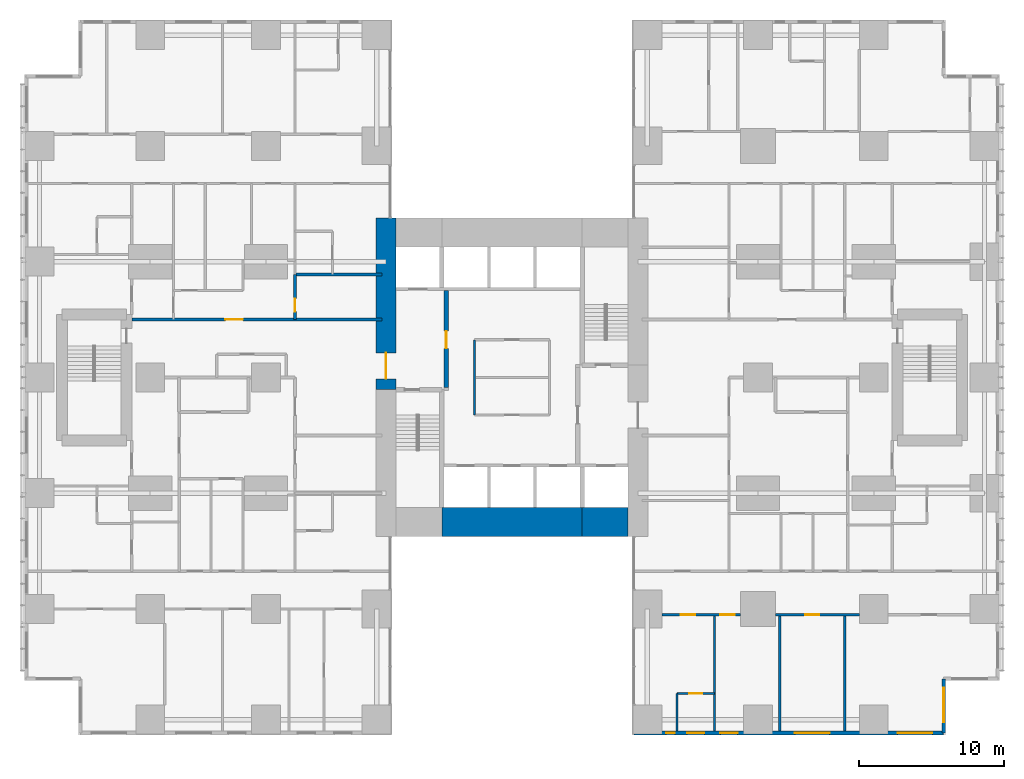
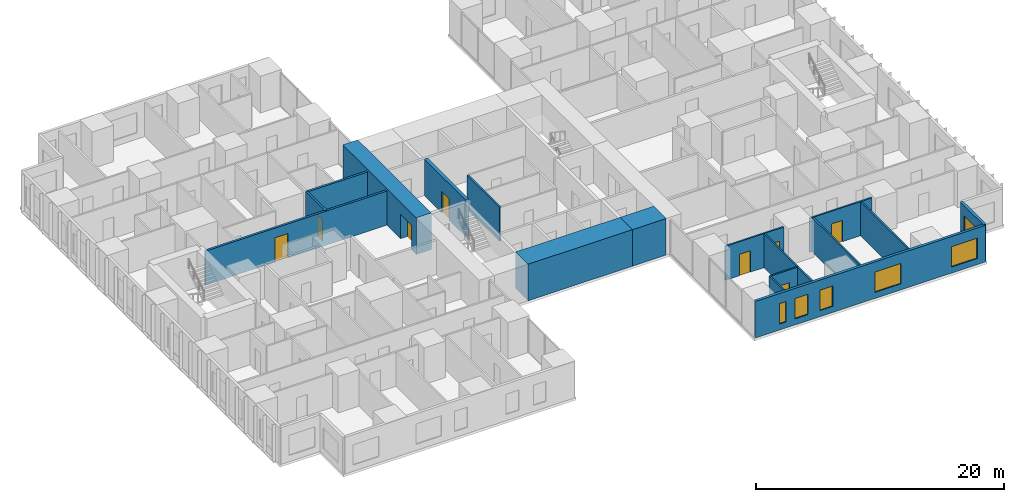
# One storey, part 14 of 20: 17 walls, 8 doors, 6 windows, 14 openings.
"""IFC4 building model written with IfcOpenShell, lengths in metres."""

from ifc_helpers import new_model, si_unit, direction, frame, frame_2d, origin, place, context, subcontext, project, spatial, rectangle, extrude, material, layer, layer_set, type_object, element, fill, save


model = new_model("IFC4")

# Units and contexts
model_context = context("Model", 3, precision=1e-05, world=origin(), true_north=direction((0.0, 1.0)))
body_context = subcontext(model_context, "Body", "Model", "MODEL_VIEW")
ifc_project = project(units=[si_unit("LENGTHUNIT", "METRE"), si_unit("AREAUNIT", "SQUARE_METRE"), si_unit("VOLUMEUNIT", "CUBIC_METRE"), si_unit("PLANEANGLEUNIT", "RADIAN"), si_unit("MASSUNIT", "GRAM", prefix="KILO")], contexts=[model_context])

# Site, building, storey
site_placement = place(None, origin())
site = spatial("IfcSite", under=ifc_project, at=site_placement, CompositionType="ELEMENT")
building_placement = place(site_placement, origin())
building = spatial("IfcBuilding", under=site, at=building_placement, Name="Cleftline Residences", CompositionType="ELEMENT")
storey_placement = place(building_placement, frame((0.0, 0.0, 40.39990234375)))
storey = spatial("IfcBuildingStorey", under=building, at=storey_placement, Name="L09", CompositionType="ELEMENT", Elevation=40.39990234375)

# Wall, opening, door
ifc_material_1 = material(Name="Concrete B70", Category="concrete")
ifc_layer_1 = layer(ifc_material_1, 1.39990234375)
ifc_layer_set_1 = layer_set([ifc_layer_1], Name="CORE WALL 1400")
wall_type_1 = type_object("IfcWallType", Name="CORE WALL 1400", PredefinedType="SHEAR", material=ifc_layer_set_1)
wall_1_placement = place(storey_placement, frame((24.300048828125, 23.14990234375, 0.0), z_axis=(0.0, 0.0, 1.0), x_axis=(0.0, 1.0, 0.0)))
wall_1 = element("IfcWall", 1, at=wall_1_placement, inside=storey, type_object=wall_type_1, Name="Core wall W", PredefinedType="SHEAR", context=body_context, shape_type="SweptSolid", body=[
    extrude(rectangle(XDim=11.85009765625, YDim=1.39990234375, at=frame_2d((5.925048828125, 0.0))), origin(), (0.0, 0.0, 1.0), 3.60009765625),
])
opening_1_placement = place(wall_1_placement, frame((0.75, 0.0, 0.0)))
opening_1 = element("IfcOpeningElement", 2, at=opening_1_placement, cuts=wall_1, Name="Opening D7", PredefinedType="OPENING", context=body_context, shape_type="SweptSolid", body=[
    extrude(rectangle(XDim=1.800048828125, YDim=2.39990234375, at=frame_2d((0.89990234375, 1.199951171875))), frame((0.0, 0.7099609375, 0.0), z_axis=(0.0, -1.0, 0.0), x_axis=(1.0, 0.0, 0.0)), (0.0, 0.0, 1.0), 1.419921875),
])
ifc_material_2 = material(Name="Steel", Category="steel")
door_type_1 = type_object("IfcDoorType", Name="WING DOOR 1800X2400", OperationType="DOUBLE_DOOR_DOUBLE_SWING", PredefinedType="DOOR", material=ifc_material_2)
door_1_placement = place(opening_1_placement, origin())
door_1 = element("IfcDoor", 3, at=door_1_placement, inside=storey, type_object=door_type_1, Name="West wing door", OperationType="DOUBLE_DOOR_DOUBLE_SWING", OverallHeight=2.39990234375, OverallWidth=1.800048828125, PredefinedType="DOOR", context=body_context, shape_type="SweptSolid", body=[
    extrude(rectangle(XDim=1.800048828125, YDim=2.39990234375, at=frame_2d((0.89990234375, 1.199951171875))), frame((0.0, 0.02490234375, 0.0), z_axis=(0.0, -1.0, 0.0), x_axis=(1.0, 0.0, 0.0)), (0.0, 0.0, 1.0), 0.050048828125),
])
fill(opening_1, door_1)

# Walls
ifc_material_3 = material(Name="Concrete B70", Category="concrete")
ifc_layer_2 = layer(ifc_material_3, 2.0)
ifc_layer_set_2 = layer_set([ifc_layer_2], Name="CORE WALL 2000")
wall_type_2 = type_object("IfcWallType", Name="CORE WALL 2000", PredefinedType="SHEAR", material=ifc_layer_set_2)
wall_2_placement = place(storey_placement, frame((28.14990234375, 14.0, 0.0), z_axis=(0.0, 0.0, 1.0), x_axis=(1.0, 0.0, 0.0)))
element("IfcWall", 4, at=wall_2_placement, inside=storey, type_object=wall_type_2, Name="Core wall S2", PredefinedType="SHEAR", context=body_context, shape_type="SweptSolid", body=[
    extrude(rectangle(XDim=9.7001953125, YDim=2.0, at=frame_2d((4.85009765625, 0.0))), origin(), (0.0, 0.0, 1.0), 3.60009765625),
])
wall_3_placement = place(storey_placement, frame((37.85009765625, 14.0, 0.0), z_axis=(0.0, 0.0, 1.0), x_axis=(1.0, 0.0, 0.0)))
element("IfcWall", 5, at=wall_3_placement, inside=storey, type_object=wall_type_2, Name="Core wall S3", PredefinedType="SHEAR", context=body_context, shape_type="SweptSolid", body=[
    extrude(rectangle(XDim=3.14990234375, YDim=2.0, at=frame_2d((1.574951171875, 0.0))), origin(), (0.0, 0.0, 1.0), 3.60009765625),
])

# Wall, openings, windows
ifc_material_4 = material(Name="Rendered reinforced concrete blockwork", Category="masonry")
ifc_layer_3 = layer(ifc_material_4, 0.25)
ifc_layer_set_3 = layer_set([ifc_layer_3], Name="EXTERNAL WALL 250")
wall_type_3 = type_object("IfcWallType", Name="EXTERNAL WALL 250", PredefinedType="SOLIDWALL", material=ifc_layer_set_3)
wall_4_placement = place(storey_placement, frame((41.425048828125, -0.574951171875, 0.0), z_axis=(0.0, 0.0, 1.0), x_axis=(1.0, 0.0, 0.0)))
wall_4 = element("IfcWall", 6, at=wall_4_placement, inside=storey, type_object=wall_type_3, Name="External wall", PredefinedType="SOLIDWALL", context=body_context, shape_type="SweptSolid", body=[
    extrude(rectangle(XDim=21.39990234375, YDim=0.25, at=frame_2d((10.699951171875, 0.0))), origin(), (0.0, 0.0, 1.0), 3.60009765625),
])
opening_2_placement = place(wall_4_placement, frame((2.22509765625, 0.0, 0.60009765625)))
opening_2 = element("IfcOpeningElement", 7, at=opening_2_placement, cuts=wall_4, Name="Opening W7", PredefinedType="OPENING", context=body_context, shape_type="SweptSolid", body=[
    extrude(rectangle(XDim=0.60009765625, YDim=2.0, at=frame_2d((0.300048828125, 1.0))), frame((0.0, 0.135009765625, 0.0), z_axis=(0.0, -1.0, 0.0), x_axis=(1.0, 0.0, 0.0)), (0.0, 0.0, 1.0), 0.27001953125),
])
opening_3_placement = place(wall_4_placement, frame((3.675048828125, 0.0, 0.60009765625)))
opening_3 = element("IfcOpeningElement", 8, at=opening_3_placement, cuts=wall_4, Name="Opening W8", PredefinedType="OPENING", context=body_context, shape_type="SweptSolid", body=[
    extrude(rectangle(XDim=1.199951171875, YDim=2.0, at=frame_2d((0.60009765625, 1.0))), frame((0.0, 0.135009765625, 0.0), z_axis=(0.0, -1.0, 0.0), x_axis=(1.0, 0.0, 0.0)), (0.0, 0.0, 1.0), 0.27001953125),
])
opening_4_placement = place(wall_4_placement, frame((5.97509765625, 0.0, 0.60009765625)))
opening_4 = element("IfcOpeningElement", 9, at=opening_4_placement, cuts=wall_4, Name="Opening W8", PredefinedType="OPENING", context=body_context, shape_type="SweptSolid", body=[
    extrude(rectangle(XDim=1.199951171875, YDim=2.0, at=frame_2d((0.60009765625, 1.0))), frame((0.0, 0.135009765625, 0.0), z_axis=(0.0, -1.0, 0.0), x_axis=(1.0, 0.0, 0.0)), (0.0, 0.0, 1.0), 0.27001953125),
])
opening_5_placement = place(wall_4_placement, frame((11.125, 0.0, 0.60009765625)))
opening_5 = element("IfcOpeningElement", 10, at=opening_5_placement, cuts=wall_4, Name="Opening W6", PredefinedType="OPENING", context=body_context, shape_type="SweptSolid", body=[
    extrude(rectangle(XDim=2.39990234375, YDim=2.0, at=frame_2d((1.199951171875, 1.0))), frame((0.0, 0.135009765625, 0.0), z_axis=(0.0, -1.0, 0.0), x_axis=(1.0, 0.0, 0.0)), (0.0, 0.0, 1.0), 0.27001953125),
])
opening_6_placement = place(wall_4_placement, frame((18.22509765625, 0.0, 0.60009765625)))
opening_6 = element("IfcOpeningElement", 11, at=opening_6_placement, cuts=wall_4, Name="Opening W6", PredefinedType="OPENING", context=body_context, shape_type="SweptSolid", body=[
    extrude(rectangle(XDim=2.39990234375, YDim=2.0, at=frame_2d((1.199951171875, 1.0))), frame((0.0, 0.135009765625, 0.0), z_axis=(0.0, -1.0, 0.0), x_axis=(1.0, 0.0, 0.0)), (0.0, 0.0, 1.0), 0.27001953125),
])
ifc_material_5 = material(Name="Aluminium frame, clear double glazing", Category="aluminium")
window_type_1 = type_object("IfcWindowType", Name="WINDOW 1200X2000", PartitioningType="DOUBLE_PANEL_VERTICAL", PredefinedType="WINDOW", material=ifc_material_5)
window_1_placement = place(opening_3_placement, origin())
window_1 = element("IfcWindow", 12, at=window_1_placement, inside=storey, type_object=window_type_1, Name="Window", OverallHeight=2.0, OverallWidth=1.199951171875, PartitioningType="SINGLE_PANEL", PredefinedType="WINDOW", context=body_context, shape_type="SweptSolid", body=[
    extrude(rectangle(XDim=1.199951171875, YDim=2.0, at=frame_2d((0.60009765625, 1.0))), frame((0.0, 0.030029296875, 0.0), z_axis=(0.0, -1.0, 0.0), x_axis=(1.0, 0.0, 0.0)), (0.0, 0.0, 1.0), 0.06005859375),
])
fill(opening_3, window_1)
window_2_placement = place(opening_4_placement, origin())
window_2 = element("IfcWindow", 13, at=window_2_placement, inside=storey, type_object=window_type_1, Name="Window", OverallHeight=2.0, OverallWidth=1.199951171875, PartitioningType="SINGLE_PANEL", PredefinedType="WINDOW", context=body_context, shape_type="SweptSolid", body=[
    extrude(rectangle(XDim=1.199951171875, YDim=2.0, at=frame_2d((0.60009765625, 1.0))), frame((0.0, 0.030029296875, 0.0), z_axis=(0.0, -1.0, 0.0), x_axis=(1.0, 0.0, 0.0)), (0.0, 0.0, 1.0), 0.06005859375),
])
fill(opening_4, window_2)
ifc_material_6 = material(Name="Aluminium frame, clear double glazing", Category="aluminium")
window_type_2 = type_object("IfcWindowType", Name="WINDOW 2400X2000", PartitioningType="DOUBLE_PANEL_VERTICAL", PredefinedType="WINDOW", material=ifc_material_6)
window_3_placement = place(opening_5_placement, origin())
window_3 = element("IfcWindow", 14, at=window_3_placement, inside=storey, type_object=window_type_2, Name="Window", OverallHeight=2.0, OverallWidth=2.39990234375, PartitioningType="SINGLE_PANEL", PredefinedType="WINDOW", context=body_context, shape_type="SweptSolid", body=[
    extrude(rectangle(XDim=2.39990234375, YDim=2.0, at=frame_2d((1.199951171875, 1.0))), frame((0.0, 0.030029296875, 0.0), z_axis=(0.0, -1.0, 0.0), x_axis=(1.0, 0.0, 0.0)), (0.0, 0.0, 1.0), 0.06005859375),
])
fill(opening_5, window_3)
window_4_placement = place(opening_6_placement, origin())
window_4 = element("IfcWindow", 15, at=window_4_placement, inside=storey, type_object=window_type_2, Name="Window", OverallHeight=2.0, OverallWidth=2.39990234375, PartitioningType="SINGLE_PANEL", PredefinedType="WINDOW", context=body_context, shape_type="SweptSolid", body=[
    extrude(rectangle(XDim=2.39990234375, YDim=2.0, at=frame_2d((1.199951171875, 1.0))), frame((0.0, 0.030029296875, 0.0), z_axis=(0.0, -1.0, 0.0), x_axis=(1.0, 0.0, 0.0)), (0.0, 0.0, 1.0), 0.06005859375),
])
fill(opening_6, window_4)
ifc_material_7 = material(Name="Aluminium frame, clear double glazing", Category="aluminium")
window_type_3 = type_object("IfcWindowType", Name="WINDOW 600X2000", PartitioningType="DOUBLE_PANEL_VERTICAL", PredefinedType="WINDOW", material=ifc_material_7)
window_5_placement = place(opening_2_placement, origin())
window_5 = element("IfcWindow", 16, at=window_5_placement, inside=storey, type_object=window_type_3, Name="Window", OverallHeight=2.0, OverallWidth=0.60009765625, PartitioningType="SINGLE_PANEL", PredefinedType="WINDOW", context=body_context, shape_type="SweptSolid", body=[
    extrude(rectangle(XDim=0.60009765625, YDim=2.0, at=frame_2d((0.300048828125, 1.0))), frame((0.0, 0.030029296875, 0.0), z_axis=(0.0, -1.0, 0.0), x_axis=(1.0, 0.0, 0.0)), (0.0, 0.0, 1.0), 0.06005859375),
])
fill(opening_2, window_5)

# Wall, opening, window
wall_5_placement = place(storey_placement, frame((62.824951171875, -0.574951171875, 0.0), z_axis=(0.0, 0.0, 1.0), x_axis=(0.0, 1.0, 0.0)))
wall_5 = element("IfcWall", 17, at=wall_5_placement, inside=storey, type_object=wall_type_3, Name="External wall", PredefinedType="SOLIDWALL", context=body_context, shape_type="SweptSolid", body=[
    extrude(rectangle(XDim=3.75, YDim=0.25, at=frame_2d((1.875, 0.0))), origin(), (0.0, 0.0, 1.0), 3.60009765625),
])
opening_7_placement = place(wall_5_placement, frame((0.737548828125, 0.0, 0.60009765625)))
opening_7 = element("IfcOpeningElement", 18, at=opening_7_placement, cuts=wall_5, Name="Opening W6", PredefinedType="OPENING", context=body_context, shape_type="SweptSolid", body=[
    extrude(rectangle(XDim=2.39990234375, YDim=2.0, at=frame_2d((1.199951171875, 1.0))), frame((0.0, 0.135009765625, 0.0), z_axis=(0.0, -1.0, 0.0), x_axis=(1.0, 0.0, 0.0)), (0.0, 0.0, 1.0), 0.27001953125),
])
window_6_placement = place(opening_7_placement, origin())
window_6 = element("IfcWindow", 19, at=window_6_placement, inside=storey, type_object=window_type_2, Name="Window", OverallHeight=2.0, OverallWidth=2.39990234375, PartitioningType="SINGLE_PANEL", PredefinedType="WINDOW", context=body_context, shape_type="SweptSolid", body=[
    extrude(rectangle(XDim=2.39990234375, YDim=2.0, at=frame_2d((1.199951171875, 1.0))), frame((0.0, 0.030029296875, 0.0), z_axis=(0.0, -1.0, 0.0), x_axis=(1.0, 0.0, 0.0)), (0.0, 0.0, 1.0), 0.06005859375),
])
fill(opening_7, window_6)

# Wall, opening, door
ifc_material_8 = material(Name="Concrete blockwork, fire rated", Category="masonry")
ifc_layer_4 = layer(ifc_material_8, 0.199951171875)
ifc_layer_set_4 = layer_set([ifc_layer_4], Name="FIRE WALL 200")
wall_type_4 = type_object("IfcWallType", Name="FIRE WALL 200", PredefinedType="PARTITIONING", material=ifc_layer_set_4)
wall_6_placement = place(storey_placement, frame((6.72509765625, 28.0, 0.0), z_axis=(0.0, 0.0, 1.0), x_axis=(1.0, 0.0, 0.0)))
wall_6 = element("IfcWall", 20, at=wall_6_placement, inside=storey, type_object=wall_type_4, Name="Fire separating wall", PredefinedType="PARTITIONING", context=body_context, shape_type="SweptSolid", body=[
    extrude(rectangle(XDim=17.27490234375, YDim=0.199951171875, at=frame_2d((8.637451171875, 0.0))), origin(), (0.0, 0.0, 1.0), 3.35009765625),
])
opening_8_placement = place(wall_6_placement, frame((6.47509765625, 0.0, 0.0)))
opening_8 = element("IfcOpeningElement", 21, at=opening_8_placement, cuts=wall_6, Name="Opening D4", PredefinedType="OPENING", context=body_context, shape_type="SweptSolid", body=[
    extrude(rectangle(XDim=1.199951171875, YDim=2.39990234375, at=frame_2d((0.60009765625, 1.199951171875))), frame((0.0, 0.10986328125, 0.0), z_axis=(0.0, -1.0, 0.0), x_axis=(1.0, 0.0, 0.0)), (0.0, 0.0, 1.0), 0.219970703125),
])
ifc_material_9 = material(Name="Timber veneer on solid core", Category="wood")
door_type_2 = type_object("IfcDoorType", Name="APARTMENT ENTRANCE DOOR 1200X2400", OperationType="SINGLE_SWING_RIGHT", PredefinedType="DOOR", material=ifc_material_9)
door_2_placement = place(opening_8_placement, origin())
door_2 = element("IfcDoor", 22, at=door_2_placement, inside=storey, type_object=door_type_2, Name="Door to residence entrance foyer", OperationType="SINGLE_SWING_RIGHT", OverallHeight=2.39990234375, OverallWidth=1.199951171875, PredefinedType="DOOR", context=body_context, shape_type="SweptSolid", body=[
    extrude(rectangle(XDim=1.199951171875, YDim=2.39990234375, at=frame_2d((0.60009765625, 1.199951171875))), frame((0.0, 0.02490234375, 0.0), z_axis=(0.0, -1.0, 0.0), x_axis=(1.0, 0.0, 0.0)), (0.0, 0.0, 1.0), 0.050048828125),
])
fill(opening_8, door_2)

# Wall
wall_7_placement = place(storey_placement, frame((18.0, 31.10009765625, 0.0), z_axis=(0.0, 0.0, 1.0), x_axis=(1.0, 0.0, 0.0)))
element("IfcWall", 23, at=wall_7_placement, inside=storey, type_object=wall_type_4, Name="Fire separating wall", PredefinedType="PARTITIONING", context=body_context, shape_type="SweptSolid", body=[
    extrude(rectangle(XDim=6.0, YDim=0.199951171875, at=frame_2d((3.0, 0.0))), origin(), (0.0, 0.0, 1.0), 3.35009765625),
])

# Wall, opening, door
wall_8_placement = place(storey_placement, frame((18.0, 28.0, 0.0), z_axis=(0.0, 0.0, 1.0), x_axis=(0.0, 1.0, 0.0)))
wall_8 = element("IfcWall", 24, at=wall_8_placement, inside=storey, type_object=wall_type_4, Name="Fire separating wall", PredefinedType="PARTITIONING", context=body_context, shape_type="SweptSolid", body=[
    extrude(rectangle(XDim=3.10009765625, YDim=0.199951171875, at=frame_2d((1.550048828125, 0.0))), origin(), (0.0, 0.0, 1.0), 3.35009765625),
])
opening_9_placement = place(wall_8_placement, frame((0.550048828125, 0.0, 0.0)))
opening_9 = element("IfcOpeningElement", 25, at=opening_9_placement, cuts=wall_8, Name="Opening D1F30", PredefinedType="OPENING", context=body_context, shape_type="SweptSolid", body=[
    extrude(rectangle(XDim=0.89990234375, YDim=2.10009765625, at=frame_2d((0.449951171875, 1.050048828125))), frame((0.0, 0.10986328125, 0.0), z_axis=(0.0, -1.0, 0.0), x_axis=(1.0, 0.0, 0.0)), (0.0, 0.0, 1.0), 0.219970703125),
])
ifc_material_10 = material(Name="Timber veneer on solid core", Category="wood")
door_type_3 = type_object("IfcDoorType", Name="DOOR 900X2100 EI 30", OperationType="SINGLE_SWING_LEFT", PredefinedType="DOOR", material=ifc_material_10)
door_3_placement = place(opening_9_placement, origin())
door_3 = element("IfcDoor", 26, at=door_3_placement, inside=storey, type_object=door_type_3, Name="Door to laundry and wc", OperationType="SINGLE_SWING_RIGHT", OverallHeight=2.10009765625, OverallWidth=0.89990234375, PredefinedType="DOOR", context=body_context, shape_type="SweptSolid", body=[
    extrude(rectangle(XDim=0.89990234375, YDim=2.10009765625, at=frame_2d((0.449951171875, 1.050048828125))), frame((0.0, 0.02490234375, 0.0), z_axis=(0.0, -1.0, 0.0), x_axis=(1.0, 0.0, 0.0)), (0.0, 0.0, 1.0), 0.050048828125),
])
fill(opening_9, door_3)

ifc_material_11 = material(Name="Gypsum board on steel studs", Category="steel")
ifc_layer_5 = layer(ifc_material_11, 0.14990234375)
ifc_layer_set_5 = layer_set([ifc_layer_5], Name="PARTITION 150")
wall_type_5 = type_object("IfcWallType", Name="PARTITION 150", PredefinedType="PARTITIONING", material=ifc_layer_set_5)
wall_9_placement = place(storey_placement, frame((44.39990234375, 2.14990234375, 0.0), z_axis=(0.0, 0.0, 1.0), x_axis=(1.0, 0.0, 0.0)))
wall_9 = element("IfcWall", 27, at=wall_9_placement, inside=storey, type_object=wall_type_5, Name="Partition", PredefinedType="PARTITIONING", context=body_context, shape_type="SweptSolid", body=[
    extrude(rectangle(XDim=2.60009765625, YDim=0.14990234375, at=frame_2d((1.300048828125, 0.0))), origin(), (0.0, 0.0, 1.0), 3.35009765625),
])
opening_10_placement = place(wall_9_placement, frame((0.85009765625, 0.0, 0.0)))
opening_10 = element("IfcOpeningElement", 28, at=opening_10_placement, cuts=wall_9, Name="Opening D1", PredefinedType="OPENING", context=body_context, shape_type="SweptSolid", body=[
    extrude(rectangle(XDim=0.89990234375, YDim=2.10009765625, at=frame_2d((0.449951171875, 1.050048828125))), frame((0.0, 0.0849609375, 0.0), z_axis=(0.0, -1.0, 0.0), x_axis=(1.0, 0.0, 0.0)), (0.0, 0.0, 1.0), 0.169921875),
])
ifc_material_12 = material(Name="Timber veneer on solid core", Category="wood")
door_type_4 = type_object("IfcDoorType", Name="DOOR 900X2100", OperationType="SINGLE_SWING_LEFT", PredefinedType="DOOR", material=ifc_material_12)
door_4_placement = place(opening_10_placement, origin())
door_4 = element("IfcDoor", 29, at=door_4_placement, inside=storey, type_object=door_type_4, Name="Door to en-suite bathroom 3", OperationType="SINGLE_SWING_LEFT", OverallHeight=2.10009765625, OverallWidth=0.89990234375, PredefinedType="DOOR", context=body_context, shape_type="SweptSolid", body=[
    extrude(rectangle(XDim=0.89990234375, YDim=2.10009765625, at=frame_2d((0.449951171875, 1.050048828125))), frame((0.0, 0.02490234375, 0.0), z_axis=(0.0, -1.0, 0.0), x_axis=(1.0, 0.0, 0.0)), (0.0, 0.0, 1.0), 0.050048828125),
])
fill(opening_10, door_4)

# Wall, openings, doors
wall_10_placement = place(storey_placement, frame((43.35009765625, 7.60009765625, 0.0), z_axis=(0.0, 0.0, 1.0), x_axis=(1.0, 0.0, 0.0)))
wall_10 = element("IfcWall", 30, at=wall_10_placement, inside=storey, type_object=wall_type_5, Name="Partition", PredefinedType="PARTITIONING", context=body_context, shape_type="SweptSolid", body=[
    extrude(rectangle(XDim=5.449951171875, YDim=0.14990234375, at=frame_2d((2.72509765625, 0.0))), origin(), (0.0, 0.0, 1.0), 3.35009765625),
])
opening_11_placement = place(wall_10_placement, frame((4.050048828125, 0.0, 0.0)))
opening_11 = element("IfcOpeningElement", 31, at=opening_11_placement, cuts=wall_10, Name="Opening D2", PredefinedType="OPENING", context=body_context, shape_type="SweptSolid", body=[
    extrude(rectangle(XDim=1.0, YDim=2.10009765625, at=frame_2d((0.5, 1.050048828125))), frame((0.0, 0.0849609375, 0.0), z_axis=(0.0, -1.0, 0.0), x_axis=(1.0, 0.0, 0.0)), (0.0, 0.0, 1.0), 0.169921875),
])
opening_12_placement = place(wall_10_placement, frame((1.324951171875, 0.0, 0.0)))
opening_12 = element("IfcOpeningElement", 32, at=opening_12_placement, cuts=wall_10, Name="Opening D2", PredefinedType="OPENING", context=body_context, shape_type="SweptSolid", body=[
    extrude(rectangle(XDim=1.0, YDim=2.10009765625, at=frame_2d((0.5, 1.050048828125))), frame((0.0, 0.0849609375, 0.0), z_axis=(0.0, -1.0, 0.0), x_axis=(1.0, 0.0, 0.0)), (0.0, 0.0, 1.0), 0.169921875),
])
ifc_material_13 = material(Name="Timber veneer on solid core", Category="wood")
door_type_5 = type_object("IfcDoorType", Name="DOOR 1000X2100", OperationType="SINGLE_SWING_LEFT", PredefinedType="DOOR", material=ifc_material_13)
door_5_placement = place(opening_11_placement, origin())
door_5 = element("IfcDoor", 33, at=door_5_placement, inside=storey, type_object=door_type_5, Name="Door to show kitchen", OperationType="SINGLE_SWING_LEFT", OverallHeight=2.10009765625, OverallWidth=1.0, PredefinedType="DOOR", context=body_context, shape_type="SweptSolid", body=[
    extrude(rectangle(XDim=1.0, YDim=2.10009765625, at=frame_2d((0.5, 1.050048828125))), frame((0.0, 0.02490234375, 0.0), z_axis=(0.0, -1.0, 0.0), x_axis=(1.0, 0.0, 0.0)), (0.0, 0.0, 1.0), 0.050048828125),
])
fill(opening_11, door_5)
door_6_placement = place(opening_12_placement, origin())
door_6 = element("IfcDoor", 34, at=door_6_placement, inside=storey, type_object=door_type_5, Name="Door to bedroom 3", OperationType="SINGLE_SWING_RIGHT", OverallHeight=2.10009765625, OverallWidth=1.0, PredefinedType="DOOR", context=body_context, shape_type="SweptSolid", body=[
    extrude(rectangle(XDim=1.0, YDim=2.10009765625, at=frame_2d((0.5, 1.050048828125))), frame((0.0, 0.02490234375, 0.0), z_axis=(0.0, -1.0, 0.0), x_axis=(1.0, 0.0, 0.0)), (0.0, 0.0, 1.0), 0.050048828125),
])
fill(opening_12, door_6)

# Wall, opening, door
wall_11_placement = place(storey_placement, frame((51.199951171875, 7.60009765625, 0.0), z_axis=(0.0, 0.0, 1.0), x_axis=(1.0, 0.0, 0.0)))
wall_11 = element("IfcWall", 35, at=wall_11_placement, inside=storey, type_object=wall_type_5, Name="Partition", PredefinedType="PARTITIONING", context=body_context, shape_type="SweptSolid", body=[
    extrude(rectangle(XDim=5.800048828125, YDim=0.14990234375, at=frame_2d((2.89990234375, 0.0))), origin(), (0.0, 0.0, 1.0), 3.35009765625),
])
opening_13_placement = place(wall_11_placement, frame((2.050048828125, 0.0, 0.0)))
opening_13 = element("IfcOpeningElement", 36, at=opening_13_placement, cuts=wall_11, Name="Opening D2", PredefinedType="OPENING", context=body_context, shape_type="SweptSolid", body=[
    extrude(rectangle(XDim=1.0, YDim=2.10009765625, at=frame_2d((0.5, 1.050048828125))), frame((0.0, 0.0849609375, 0.0), z_axis=(0.0, -1.0, 0.0), x_axis=(1.0, 0.0, 0.0)), (0.0, 0.0, 1.0), 0.169921875),
])
door_7_placement = place(opening_13_placement, origin())
door_7 = element("IfcDoor", 37, at=door_7_placement, inside=storey, type_object=door_type_5, Name="Door to dining room", OperationType="SINGLE_SWING_RIGHT", OverallHeight=2.10009765625, OverallWidth=1.0, PredefinedType="DOOR", context=body_context, shape_type="SweptSolid", body=[
    extrude(rectangle(XDim=1.0, YDim=2.10009765625, at=frame_2d((0.5, 1.050048828125))), frame((0.0, 0.02490234375, 0.0), z_axis=(0.0, -1.0, 0.0), x_axis=(1.0, 0.0, 0.0)), (0.0, 0.0, 1.0), 0.050048828125),
])
fill(opening_13, door_7)

# Walls
wall_12_placement = place(storey_placement, frame((44.39990234375, -0.449951171875, 0.0), z_axis=(0.0, 0.0, 1.0), x_axis=(0.0, 1.0, 0.0)))
element("IfcWall", 38, at=wall_12_placement, inside=storey, type_object=wall_type_5, Name="Partition", PredefinedType="PARTITIONING", context=body_context, shape_type="SweptSolid", body=[
    extrude(rectangle(XDim=2.599853515625, YDim=0.14990234375, at=frame_2d((1.2998046875, 0.0))), origin(), (0.0, 0.0, 1.0), 3.35009765625),
])
for number, where, z_axis, x_axis, name in (
    (39, (47.0, -0.449951171875, 0.0), (0.0, 0.0, 1.0), (0.0, 1.0, 0.0), "Partition"),
    (40, (51.5, -0.449951171875, 0.0), (0.0, 0.0, 1.0), (0.0, 1.0, 0.0), "Partition"),
    (41, (56.0, -0.449951171875, 0.0), (0.0, 0.0, 1.0), (0.0, 1.0, 0.0), "Partition"),
):
    element("IfcWall", number, at=place(storey_placement, frame(where, z_axis=z_axis, x_axis=x_axis)), inside=storey, type_object=wall_type_5, Name=name, PredefinedType="PARTITIONING", context=body_context, shape_type="SweptSolid", body=[
        extrude(rectangle(XDim=8.050048828125, YDim=0.14990234375, at=frame_2d((4.02490234375, 0.0))), origin(), (0.0, 0.0, 1.0), 3.35009765625),
    ])
ifc_material_14 = material(Name="Fire-resisting gypsum board on steel studs", Category="steel")
ifc_layer_6 = layer(ifc_material_14, 0.14990234375)
ifc_layer_set_6 = layer_set([ifc_layer_6], Name="PARTITION 150 EI 60")
wall_type_6 = type_object("IfcWallType", Name="PARTITION 150 EI 60", PredefinedType="PARTITIONING", material=ifc_layer_set_6)
wall_13_placement = place(storey_placement, frame((30.39990234375, 21.39990234375, 0.0), z_axis=(0.0, 0.0, 1.0), x_axis=(0.0, 1.0, 0.0)))
element("IfcWall", 42, at=wall_13_placement, inside=storey, type_object=wall_type_6, Name="Core room partition", PredefinedType="PARTITIONING", context=body_context, shape_type="SweptSolid", body=[
    extrude(rectangle(XDim=5.2001953125, YDim=0.14990234375, at=frame_2d((2.60009765625, 0.0))), origin(), (0.0, 0.0, 1.0), 3.35009765625),
])

# Wall, opening, door
ifc_material_15 = material(Name="Concrete blockwork, fire rated", Category="masonry")
ifc_layer_7 = layer(ifc_material_15, 0.300048828125)
ifc_layer_set_7 = layer_set([ifc_layer_7], Name="STAIR LOBBY WALL 300")
wall_type_7 = type_object("IfcWallType", Name="STAIR LOBBY WALL 300", PredefinedType="PARTITIONING", material=ifc_layer_set_7)
wall_14_placement = place(storey_placement, frame((28.449951171875, 23.300048828125, 0.0), z_axis=(0.0, 0.0, 1.0), x_axis=(0.0, 1.0, 0.0)))
wall_14 = element("IfcWall", 43, at=wall_14_placement, inside=storey, type_object=wall_type_7, Name="Stair and lobby wall FA-E", PredefinedType="PARTITIONING", context=body_context, shape_type="SweptSolid", body=[
    extrude(rectangle(XDim=6.699951171875, YDim=0.300048828125, at=frame_2d((3.35009765625, 0.0))), origin(), (0.0, 0.0, 1.0), 3.60009765625),
])
opening_14_placement = place(wall_14_placement, frame((2.699951171875, 0.0, 0.0)))
opening_14 = element("IfcOpeningElement", 44, at=opening_14_placement, cuts=wall_14, Name="Opening D6", PredefinedType="OPENING", context=body_context, shape_type="SweptSolid", body=[
    extrude(rectangle(XDim=1.199951171875, YDim=2.10009765625, at=frame_2d((0.60009765625, 1.050048828125))), frame((0.0, 0.159912109375, 0.0), z_axis=(0.0, -1.0, 0.0), x_axis=(1.0, 0.0, 0.0)), (0.0, 0.0, 1.0), 0.320068359375),
])
ifc_material_16 = material(Name="Steel", Category="steel")
door_type_6 = type_object("IfcDoorType", Name="LOBBY DOOR 1200X2100", OperationType="SINGLE_SWING_RIGHT", PredefinedType="DOOR", material=ifc_material_16)
door_8_placement = place(opening_14_placement, origin())
door_8 = element("IfcDoor", 45, at=door_8_placement, inside=storey, type_object=door_type_6, Name="Firefighting lobby A door", OperationType="SINGLE_SWING_RIGHT", OverallHeight=2.10009765625, OverallWidth=1.199951171875, PredefinedType="DOOR", context=body_context, shape_type="SweptSolid", body=[
    extrude(rectangle(XDim=1.199951171875, YDim=2.10009765625, at=frame_2d((0.60009765625, 1.050048828125))), frame((0.0, 0.02490234375, 0.0), z_axis=(0.0, -1.0, 0.0), x_axis=(1.0, 0.0, 0.0)), (0.0, 0.0, 1.0), 0.050048828125),
])
fill(opening_14, door_8)

save(model, "model.ifc")
